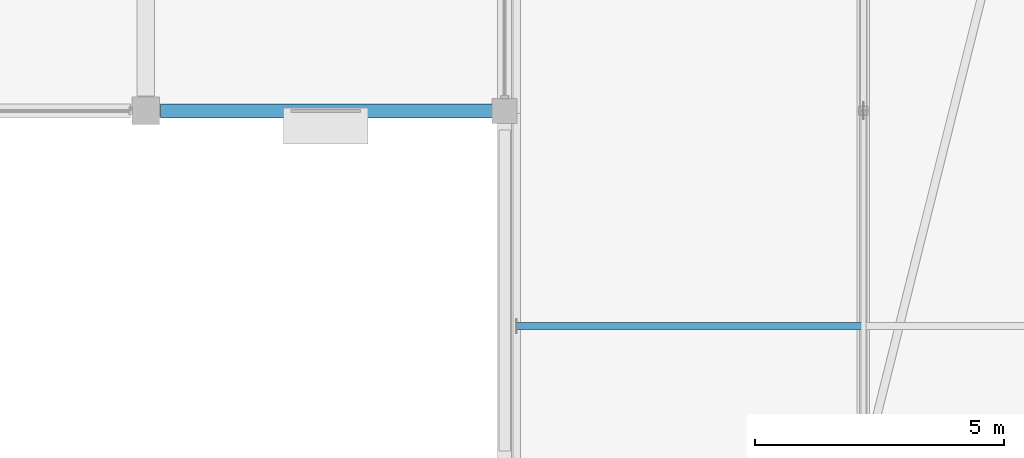
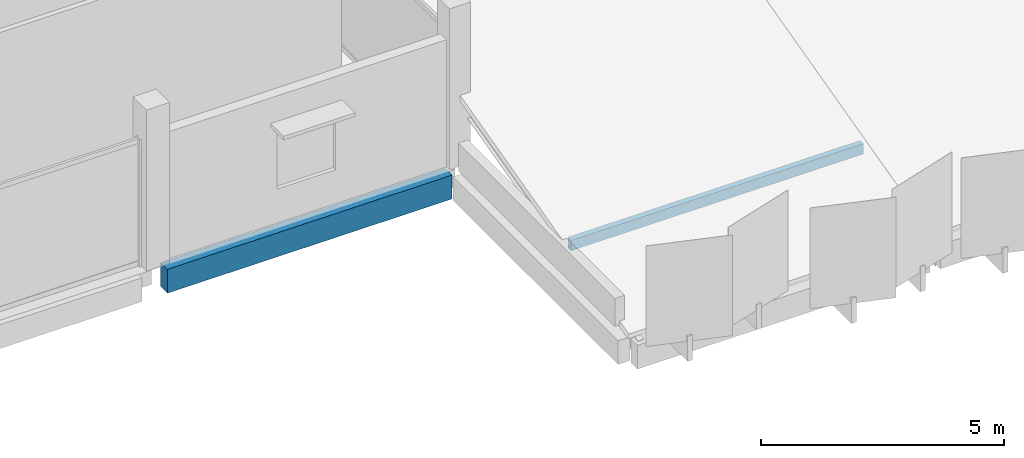
# One storey, part 16 of 108: 1 beam, 1 member.
"""IFC4 building model written with IfcOpenShell, lengths in metres."""

from ifc_helpers import new_model, si_unit, direction, frame, origin, origin_2d, place, context, subcontext, project, spatial, rectangle, hollow_rectangle, extrude, material, material_profile, profile_set, type_object, element, save


model = new_model("IFC4")

# Units and contexts
model_context = context("Model", 3, precision=1e-05, world=origin(), true_north=direction((0.0, 1.0)))
body_context = subcontext(model_context, "Body", "Model", "MODEL_VIEW")
ifc_project = project(units=[si_unit("LENGTHUNIT", "METRE"), si_unit("AREAUNIT", "SQUARE_METRE"), si_unit("VOLUMEUNIT", "CUBIC_METRE"), si_unit("PLANEANGLEUNIT", "RADIAN"), si_unit("MASSUNIT", "GRAM", prefix="KILO")], contexts=[model_context])

# Site, building, storey
site_placement = place(None, origin())
site = spatial("IfcSite", under=ifc_project, at=site_placement, CompositionType="ELEMENT")
building_placement = place(site_placement, origin())
building = spatial("IfcBuilding", under=site, at=building_placement, Name="Kangsadwip Square Police Headquarters", CompositionType="ELEMENT")
storey_placement = place(building_placement, frame((0.0, 0.0, 9.449951171875)))
storey = spatial("IfcBuildingStorey", under=building, at=storey_placement, Name="L02", CompositionType="ELEMENT", Elevation=9.449951171875)

# Beam
ifc_material_1 = material(Name="Concrete M40 (40 MPa)", Category="concrete")
ifc_material_profile_1 = material_profile(ifc_material_1, rectangle(XDim=0.280029296875, YDim=0.60009765625, at=origin_2d()), Name="RC SPN 600X280")
ifc_profile_set_1 = profile_set([ifc_material_profile_1], Name="Concrete M40 (40 MPa)")
beam_type = type_object("IfcBeamType", Name="RcSpandrel600x280", PredefinedType="SPANDREL", material=ifc_profile_set_1)
beam_placement = place(storey_placement, frame((36.300048828125, 93.60009765625, -0.5400390625), z_axis=(1.0, 0.0, 0.0), x_axis=(0.0, 1.0, 0.0)))
element("IfcBeam", 1, at=beam_placement, inside=storey, type_object=beam_type, Name="Beam BM-L02-X-05-13", PredefinedType="SPANDREL", context=body_context, shape_type="SweptSolid", body=[
    extrude(rectangle(XDim=0.280029296875, YDim=0.60009765625, at=origin_2d()), origin(), (0.0, 0.0, 1.0), 6.77490234375),
])

# Member
ifc_material_2 = material(Name="Structural steel IS 2062 E350 (Grade 350, 350 MPa)", Category="steel")
ifc_material_profile_2 = material_profile(ifc_material_2, hollow_rectangle(XDim=0.139892578125, YDim=0.260009765625, WallThickness=0.010009765625, at=origin_2d()), Name="RHS 260X140X10")
ifc_profile_set_2 = profile_set([ifc_material_profile_2], Name="Structural steel IS 2062 E350 (Grade 350, 350 MPa)")
member_type = type_object("IfcMemberType", Name="RoofPurlinRhs260", PredefinedType="PURLIN", material=ifc_profile_set_2)
member_placement = place(storey_placement, frame((43.449951171875, 89.280029296875, 0.429931640625), z_axis=(1.0, 0.0, 0.0), x_axis=(0.0, 1.0, 0.0)))
element("IfcMember", 2, at=member_placement, inside=storey, type_object=member_type, Name="Truss Member MEM-L02-0079", PredefinedType="PURLIN", context=body_context, shape_type="SweptSolid", body=[
    extrude(hollow_rectangle(XDim=0.139892578125, YDim=0.260009765625, WallThickness=0.010009765625, at=origin_2d()), origin(), (0.0, 0.0, 1.0), 6.949951171875),
])

save(model, "model.ifc")
